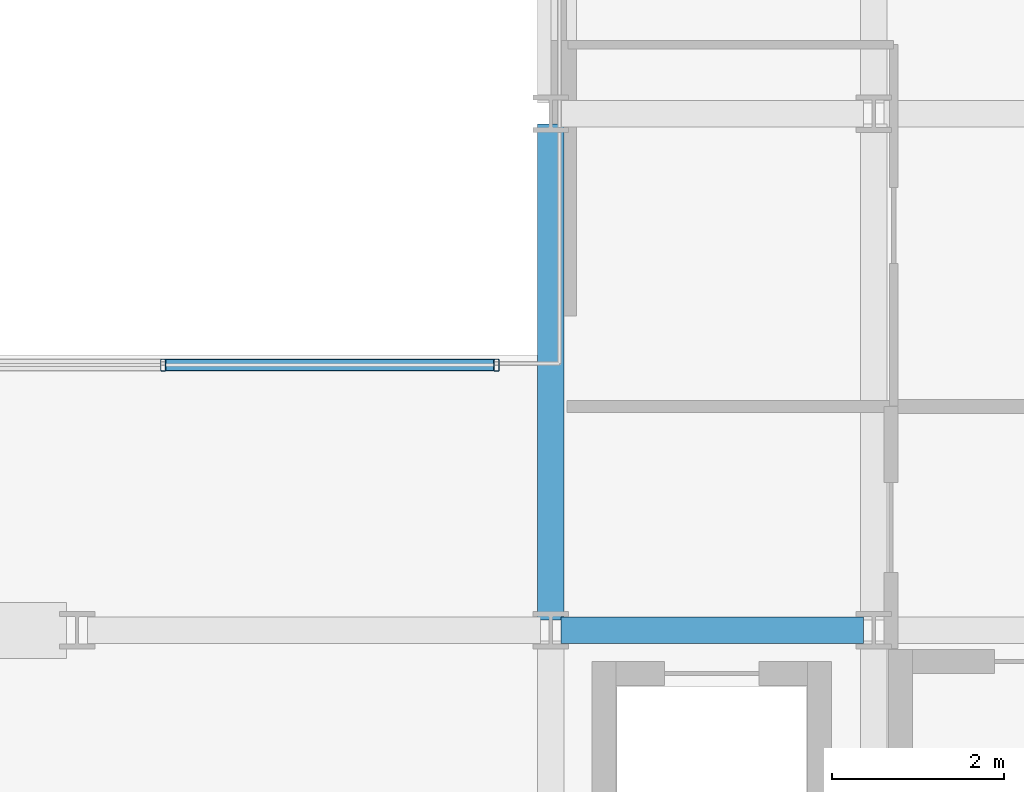
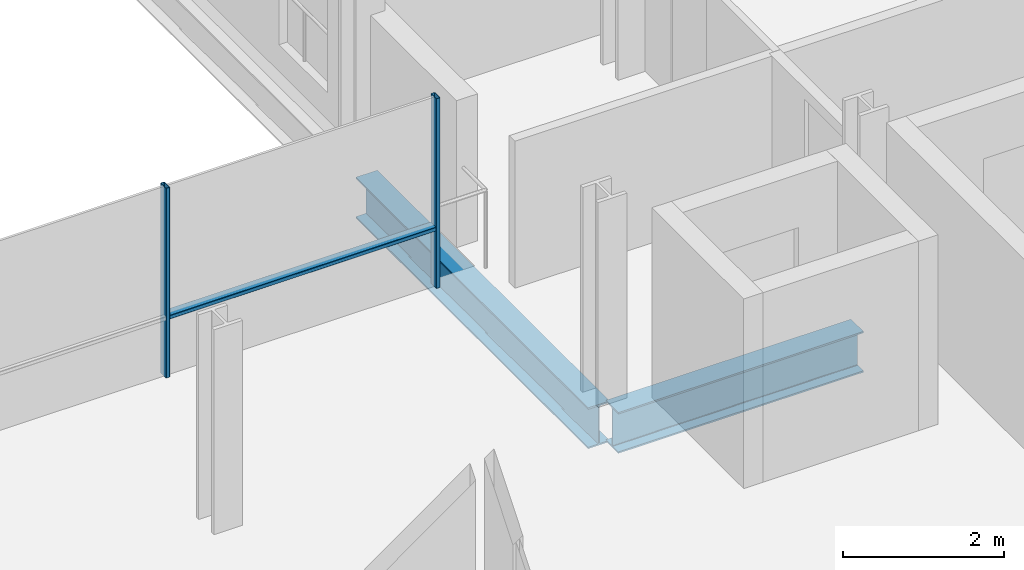
# One storey, part 13 of 39: 3 members, 2 beams, 1 element without a shape of its own.
"""IFC4 building model written with IfcOpenShell, lengths in metres."""

import ifcopenshell
import ifcopenshell.guid

model = None  # the IFC model being written
_history = None  # IfcOwnerHistory: only IFC2X3 demands one
_inside = {}  # id of a spatial element -> (the spatial element, [elements in it])
_under = {}  # id of a project, library or spatial element -> (it, [spatial elements below it])
_declared = {}  # id of a project -> (the project, [libraries it declares])
_typed = {}  # id of a type object -> (the type object, [elements of that type])
_made_of = {}  # id of a material, layer set ... -> (it, [elements and type objects made of it])


def new_model(schema):
    """Start an empty IFC model of exactly this schema.

    Asked for "IFC4X3", IfcOpenShell would pick the latest addendum, in which some entities
    have other attributes; the version numbers below select the first issue.
    IFC2X3 requires an IfcOwnerHistory on every rooted entity: one is made here for all.
    """
    global model, _history
    if schema == "IFC4X3":
        model = ifcopenshell.file(schema_version=(4, 3, 0, 0))
    else:
        model = ifcopenshell.file(schema=schema)
    _inside.clear()
    _under.clear()
    _declared.clear()
    _typed.clear()
    _made_of.clear()
    _history = None
    if model.schema == "IFC2X3":
        org = make("IfcOrganization", Name="unknown")
        user = make(
            "IfcPersonAndOrganization",
            ThePerson=make("IfcPerson", FamilyName="unknown"),
            TheOrganization=org,
        )
        app = make(
            "IfcApplication",
            ApplicationDeveloper=org,
            Version="unknown",
            ApplicationFullName="unknown",
            ApplicationIdentifier="unknown",
        )
        _history = make(
            "IfcOwnerHistory",
            OwningUser=user,
            OwningApplication=app,
            ChangeAction="ADDED",
            CreationDate=0,
        )
    return model


def make(cls, **values):
    """One entity of the class cls with the attributes given. An attribute that is None is left unset."""
    return model.create_entity(
        cls, **{name: value for name, value in values.items() if value is not None}
    )


def rooted(cls, **values):
    """An entity with a GlobalId (a new one), such as an element, a storey or a relation."""
    return make(cls, GlobalId=ifcopenshell.guid.new(), OwnerHistory=_history, **values)


def si_unit(unit_type, name, prefix=None):
    """IfcSIUnit, for example si_unit("LENGTHUNIT", "METRE", prefix="MILLI")."""
    return make("IfcSIUnit", UnitType=unit_type, Prefix=prefix, Name=name)


def assignment(units):
    """IfcUnitAssignment: the units of a project."""
    return None if units is None else make("IfcUnitAssignment", Units=units)


def point(xyz):
    """IfcCartesianPoint."""
    return None if xyz is None else make("IfcCartesianPoint", Coordinates=xyz)


def direction(xyz):
    """IfcDirection."""
    return None if xyz is None else make("IfcDirection", DirectionRatios=xyz)


def frame(location, z_axis=None, x_axis=None):
    """IfcAxis2Placement3D, a coordinate frame: its origin and axes. An axis left out is left unset."""
    return make(
        "IfcAxis2Placement3D",
        Location=point(location),
        Axis=direction(z_axis),
        RefDirection=direction(x_axis),
    )


def frame_2d(location, x_axis=None):
    """IfcAxis2Placement2D, a coordinate frame in the plane: its origin and x axis."""
    return make(
        "IfcAxis2Placement2D", Location=point(location), RefDirection=direction(x_axis)
    )


def origin():
    """The frame at (0, 0, 0) with its axes left unset."""
    return frame((0.0, 0.0, 0.0))


def origin_2d():
    """The frame at (0, 0) in the plane with its x axis left unset."""
    return frame_2d((0.0, 0.0))


def place(relative_to, where):
    """IfcLocalPlacement: puts the frame where relative to a parent placement (None: the world)."""
    return make(
        "IfcLocalPlacement", PlacementRelTo=relative_to, RelativePlacement=where
    )


def context(
    kind, dimensions, precision=None, world=None, true_north=None, identifier=None
):
    """IfcGeometricRepresentationContext, for example the 3D "Model" context."""
    return make(
        "IfcGeometricRepresentationContext",
        ContextIdentifier=identifier,
        ContextType=kind,
        CoordinateSpaceDimension=dimensions,
        Precision=precision,
        WorldCoordinateSystem=world,
        TrueNorth=true_north,
    )


def subcontext(parent, identifier, kind, view, scale=None):
    """IfcGeometricRepresentationSubContext, for example "Body" below "Model"."""
    return make(
        "IfcGeometricRepresentationSubContext",
        ContextIdentifier=identifier,
        ContextType=kind,
        ParentContext=parent,
        TargetScale=scale,
        TargetView=view,
    )


def project(units=None, contexts=None):
    """IfcProject with its units and contexts."""
    return rooted(
        "IfcProject",
        Name="project",
        RepresentationContexts=contexts,
        UnitsInContext=assignment(units),
    )


def spatial(cls, under=None, at=None, **own):
    """A site, building, storey or space (cls), placed at a placement, below another one or the project."""
    s = rooted(cls, ObjectPlacement=at, **own)
    if under is not None:
        _under.setdefault(under.id(), (under, []))[1].append(s)
    return s


def profile(cls, at=None, kind="AREA", **sizes):
    """A parametric profile (cls). Its sizes go by their IFC names, for example OverallWidth=200.0."""
    return make(cls, ProfileType=kind, Position=at, **sizes)


def hollow_rectangle(**sizes):
    """IfcRectangleHollowProfileDef."""
    return profile("IfcRectangleHollowProfileDef", **sizes)


def i_section(**sizes):
    """IfcIShapeProfileDef."""
    return profile("IfcIShapeProfileDef", **sizes)


def extrude(swept, where, along, depth):
    """IfcExtrudedAreaSolid: the profile swept, set in the frame where, extruded along a direction by depth."""
    return make(
        "IfcExtrudedAreaSolid",
        SweptArea=swept,
        Position=where,
        ExtrudedDirection=direction(along),
        Depth=depth,
    )


def shape(context_of_items, identifier, shape_type, items):
    """IfcShapeRepresentation: the items that make up one representation, for example the "Body"."""
    return make(
        "IfcShapeRepresentation",
        ContextOfItems=context_of_items,
        RepresentationIdentifier=identifier,
        RepresentationType=shape_type,
        Items=items,
    )


def material(Name=None, Category=None):
    """IfcMaterial."""
    return make("IfcMaterial", Name=Name, Category=Category)


def layer(
    of_material, thickness, ventilated=None, Name=None, Category=None, Priority=None
):
    """IfcMaterialLayer: one layer of a wall or slab, of a material (None: an air gap)."""
    return make(
        "IfcMaterialLayer",
        Material=of_material,
        LayerThickness=thickness,
        IsVentilated=ventilated,
        Name=Name,
        Category=Category,
        Priority=Priority,
    )


def layer_set(layers, Name=None):
    """IfcMaterialLayerSet."""
    return make("IfcMaterialLayerSet", MaterialLayers=layers, LayerSetName=Name)


def material_profile(
    of_material, cross_section, Name=None, Category=None, Priority=None
):
    """IfcMaterialProfile: a cross section and its material."""
    return make(
        "IfcMaterialProfile",
        Name=Name,
        Material=of_material,
        Profile=cross_section,
        Priority=Priority,
        Category=Category,
    )


def profile_set(profiles, Name=None, composite=None):
    """IfcMaterialProfileSet."""
    return make(
        "IfcMaterialProfileSet",
        Name=Name,
        MaterialProfiles=profiles,
        CompositeProfile=composite,
    )


def made_of(thing, what):
    """Note that an element or type object is made of a material, layer set ...; save() writes the relation."""
    if what is not None:
        _made_of.setdefault(what.id(), (what, []))[1].append(thing)
    return thing


def type_object(cls, material=None, **own):
    """A type object (cls), such as IfcWallType, which elements share."""
    return made_of(rooted(cls, **own), material)


def element(
    cls,
    number,
    at=None,
    inside=None,
    cuts=None,
    type_object=None,
    material=None,
    context=None,
    identifier="Body",
    shape_type=None,
    held_by="IfcProductDefinitionShape",
    body=None,
    shapes=None,
    **own,
):
    """One element of the class cls, such as IfcWall. Its Tag is "e" and its number.

    at: its placement. inside: the storey or other place that contains it. cuts: it is an
    opening in that element (IfcRelVoidsElement). A single representation is given by context,
    identifier, shape_type and body (its items); several are given by shapes. held_by: the class
    of the entity that holds the representations. save() writes the other relations.
    """
    e = rooted(cls, Tag="e%d" % number, ObjectPlacement=at, **own)
    if body is not None:
        shapes = [shape(context, identifier, shape_type, body)]
    if shapes is not None:
        e.Representation = make(held_by, Representations=shapes)
    if inside is not None:
        _inside.setdefault(inside.id(), (inside, []))[1].append(e)
    if cuts is not None:
        rooted(
            "IfcRelVoidsElement", RelatingBuildingElement=cuts, RelatedOpeningElement=e
        )
    if type_object is not None:
        _typed.setdefault(type_object.id(), (type_object, []))[1].append(e)
    return made_of(e, material)


def aggregate(whole, parts):
    """IfcRelAggregates: a whole, such as a stair, and the parts it consists of."""
    return rooted("IfcRelAggregates", RelatingObject=whole, RelatedObjects=parts)


def save(model, path):
    """Write the relations noted so far, then the file.

    IfcRelAggregates (storeys below a building ...), IfcRelContainedInSpatialStructure (elements
    in a storey), IfcRelDefinesByType, IfcRelAssociatesMaterial and IfcRelDeclares: one each for
    every whole, place, type object, material and project.
    """
    for whole, parts in _under.values():
        aggregate(whole, parts)
    for where, things in _inside.values():
        rooted(
            "IfcRelContainedInSpatialStructure",
            RelatedElements=things,
            RelatingStructure=where,
        )
    for kind, things in _typed.values():
        rooted("IfcRelDefinesByType", RelatedObjects=things, RelatingType=kind)
    for what, things in _made_of.values():
        rooted("IfcRelAssociatesMaterial", RelatedObjects=things, RelatingMaterial=what)
    for by, libraries in _declared.values():
        rooted("IfcRelDeclares", RelatingContext=by, RelatedDefinitions=libraries)
    model.write(path)


model = new_model("IFC4")

# Units and contexts
model_context = context("Model", 3, precision=1e-05, world=origin(), true_north=direction((0.0, 1.0)))
body_context = subcontext(model_context, "Body", "Model", "MODEL_VIEW")
ifc_project = project(units=[si_unit("LENGTHUNIT", "METRE"), si_unit("AREAUNIT", "SQUARE_METRE"), si_unit("VOLUMEUNIT", "CUBIC_METRE"), si_unit("PLANEANGLEUNIT", "RADIAN"), si_unit("MASSUNIT", "GRAM", prefix="KILO")], contexts=[model_context])

# Site, building, storey
site_placement = place(None, origin())
site = spatial("IfcSite", under=ifc_project, at=site_placement, CompositionType="ELEMENT")
building_placement = place(site_placement, origin())
building = spatial("IfcBuilding", under=site, at=building_placement, Name="Brevholm Reach", CompositionType="ELEMENT")
storey_placement = place(building_placement, frame((0.0, 0.0, 83.800048828125)))
storey = spatial("IfcBuildingStorey", under=building, at=storey_placement, Name="L24", CompositionType="ELEMENT", Elevation=83.800048828125)

# Beams
ifc_material_1 = material(Name="Structural Steel S355J2", Category="steel")
ifc_material_profile_1 = material_profile(ifc_material_1, i_section(OverallWidth=0.30712890625, OverallDepth=0.6201171875, WebThickness=0.01416015625, FlangeThickness=0.023681640625, FilletRadius=0.0166015625, at=origin_2d()), Name="UKB 610x305x179")
ifc_profile_set_1 = profile_set([ifc_material_profile_1], Name="Structural Steel S355J2")
beam_type = type_object("IfcBeamType", Name="BM-UKB610H", PredefinedType="USERDEFINED", material=ifc_profile_set_1)
beam_1_placement = place(storey_placement, frame((38.3701171875, 10.0, -0.5400390625), z_axis=(1.0, 0.0, 0.0), x_axis=(0.0, 1.0, 0.0)))
element("IfcBeam", 1, at=beam_1_placement, inside=storey, type_object=beam_type, Name="L24 G-06 Framing Beam", ObjectType="GIRDER", PredefinedType="USERDEFINED", context=body_context, shape_type="SweptSolid", body=[
    extrude(i_section(OverallWidth=0.30712890625, OverallDepth=0.6201171875, WebThickness=0.01416015625, FlangeThickness=0.023681640625, FilletRadius=0.0166015625, at=origin_2d()), origin(), (0.0, 0.0, 1.0), 3.509765625),
])
beam_2_placement = place(storey_placement, frame((38.25, 10.1201171875, -0.5400390625), z_axis=(0.0, 1.0, 0.0), x_axis=(-1.0, 0.0, 0.0)))
element("IfcBeam", 2, at=beam_2_placement, inside=storey, type_object=beam_type, Name="L24 G-06 Framing Beam", ObjectType="GIRDER", PredefinedType="USERDEFINED", context=body_context, shape_type="SweptSolid", body=[
    extrude(i_section(OverallWidth=0.30712890625, OverallDepth=0.6201171875, WebThickness=0.01416015625, FlangeThickness=0.023681640625, FilletRadius=0.0166015625, at=origin_2d()), origin(), (0.0, 0.0, 1.0), 5.759765625),
])

# Curtain wall, members
ifc_material_2 = material(Name="Dark Anodised Aluminium 6063-T6 and Solar-Control Glass", Category="aluminium")
ifc_layer = layer(ifc_material_2, 0.139892578125)
ifc_layer_set = layer_set([ifc_layer], Name="Dark Anodised Aluminium 6063-T6 and Solar-Control Glass")
curtain_wall_type = type_object("IfcCurtainWallType", Name="CW-02", PredefinedType="NOTDEFINED", material=ifc_layer_set)
curtain_wall_placement = place(storey_placement, origin())
curtain_wall = element("IfcCurtainWall", 3, at=curtain_wall_placement, inside=storey, type_object=curtain_wall_type, Name="L24 Curtain Wall CW-02", PredefinedType="NOTDEFINED")
ifc_material_3 = material(Name="Dark Anodised Aluminium 6063-T6", Category="aluminium")
ifc_material_profile_2 = material_profile(ifc_material_3, hollow_rectangle(XDim=0.06005859375, YDim=0.139892578125, WallThickness=0.0048828125, InnerFilletRadius=0.0048828125, OuterFilletRadius=0.010009765625, at=origin_2d()), Name="RHS 140x60x5")
ifc_profile_set_2 = profile_set([ifc_material_profile_2], Name="Dark Anodised Aluminium 6063-T6")
member_type_1 = type_object("IfcMemberType", Name="CWM-140", PredefinedType="MULLION", material=ifc_profile_set_2)
member_1_placement = place(storey_placement, frame((33.75, 13.080078125, 0.0), z_axis=(0.0, 0.0, 1.0), x_axis=(1.0, 0.0, 0.0)))
member_1 = element("IfcMember", 4, at=member_1_placement, type_object=member_type_1, Name="CM-140 Mullion 4", PredefinedType="MULLION", context=body_context, shape_type="SweptSolid", body=[
    extrude(hollow_rectangle(XDim=0.06005859375, YDim=0.139892578125, WallThickness=0.0048828125, InnerFilletRadius=0.0048828125, OuterFilletRadius=0.010009765625, at=origin_2d()), origin(), (0.0, 0.0, 1.0), 2.869873046875),
])
member_2_placement = place(storey_placement, frame((37.6201171875, 13.080078125, 0.0), z_axis=(0.0, 0.0, 1.0), x_axis=(1.0, 0.0, 0.0)))
member_2 = element("IfcMember", 5, at=member_2_placement, type_object=member_type_1, Name="CM-140 Mullion 5", PredefinedType="MULLION", context=body_context, shape_type="SweptSolid", body=[
    extrude(hollow_rectangle(XDim=0.06005859375, YDim=0.139892578125, WallThickness=0.0048828125, InnerFilletRadius=0.0048828125, OuterFilletRadius=0.010009765625, at=origin_2d()), origin(), (0.0, 0.0, 1.0), 2.869873046875),
])
ifc_material_4 = material(Name="Dark Anodised Aluminium 6063-T6", Category="aluminium")
ifc_material_profile_3 = material_profile(ifc_material_4, hollow_rectangle(XDim=0.06005859375, YDim=0.139892578125, WallThickness=0.0048828125, InnerFilletRadius=0.0048828125, OuterFilletRadius=0.010009765625, at=origin_2d()), Name="RHS 140x60x5")
ifc_profile_set_3 = profile_set([ifc_material_profile_3], Name="Dark Anodised Aluminium 6063-T6")
member_type_2 = type_object("IfcMemberType", Name="CWT-140", PredefinedType="NOTDEFINED", material=ifc_profile_set_3)
member_3_placement = place(storey_placement, frame((33.780029296875, 13.080078125, 0.89990234375), z_axis=(1.0, 0.0, 0.0), x_axis=(0.0, 0.0, 1.0)))
member_3 = element("IfcMember", 6, at=member_3_placement, type_object=member_type_2, Name="CT-140 Transom 4.1", ObjectType="TRANSOM", PredefinedType="USERDEFINED", context=body_context, shape_type="SweptSolid", body=[
    extrude(hollow_rectangle(XDim=0.06005859375, YDim=0.139892578125, WallThickness=0.0048828125, InnerFilletRadius=0.0048828125, OuterFilletRadius=0.010009765625, at=origin_2d()), origin(), (0.0, 0.0, 1.0), 3.81005859375),
])
aggregate(curtain_wall, [member_1, member_2, member_3])

save(model, "model.ifc")
